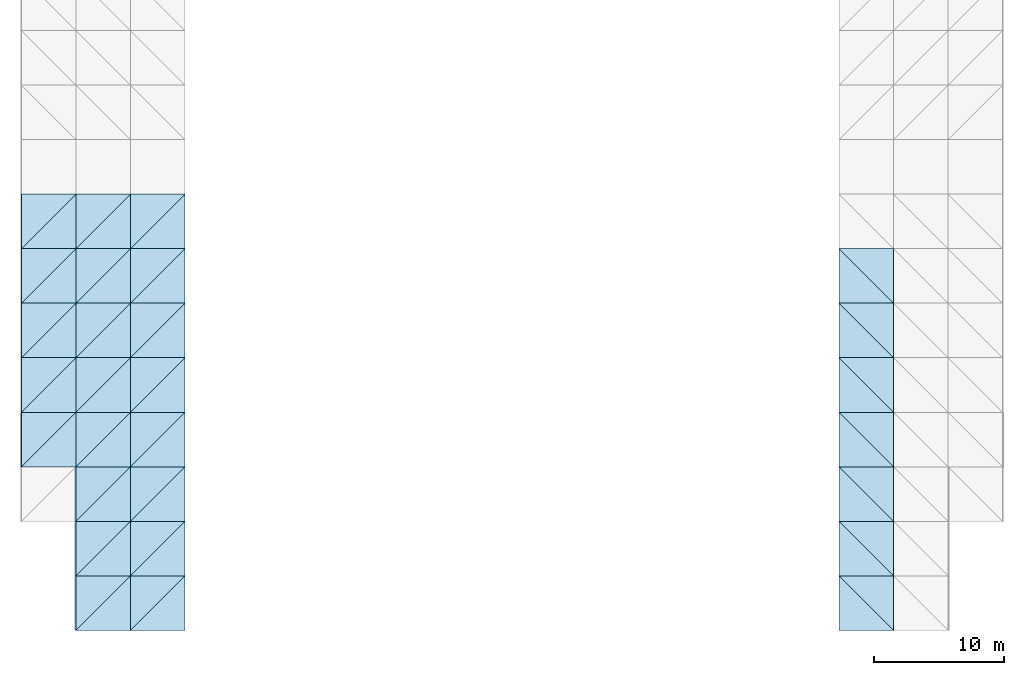
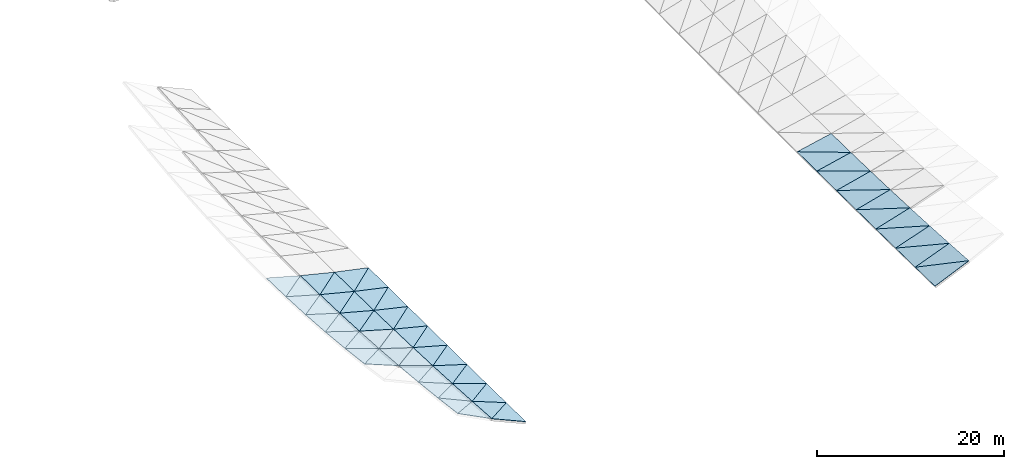
# One storey, part 17 of 24: 56 roofs.
"""IFC4 building model written with IfcOpenShell, lengths in metres."""

from ifc_helpers import new_model, si_unit, direction, frame, origin, place, context, subcontext, project, spatial, polyline, outline, extrude, material, layer, layer_set, type_object, element, save


model = new_model("IFC4")

# Units and contexts
model_context = context("Model", 3, precision=1e-05, world=origin(), true_north=direction((0.0, 1.0)))
body_context = subcontext(model_context, "Body", "Model", "MODEL_VIEW")
ifc_project = project(units=[si_unit("LENGTHUNIT", "METRE"), si_unit("AREAUNIT", "SQUARE_METRE"), si_unit("VOLUMEUNIT", "CUBIC_METRE"), si_unit("PLANEANGLEUNIT", "RADIAN"), si_unit("MASSUNIT", "GRAM", prefix="KILO")], contexts=[model_context])

# Site, building, storey
site_placement = place(None, origin())
site = spatial("IfcSite", under=ifc_project, at=site_placement, CompositionType="ELEMENT")
building_placement = place(site_placement, origin())
building = spatial("IfcBuilding", under=site, at=building_placement, Name="Cumbredor Promenade Congress Hotel", CompositionType="ELEMENT")
storey_placement = place(building_placement, frame((0.0, 0.0, 35.280029296875)))
storey = spatial("IfcBuildingStorey", under=building, at=storey_placement, Name="L10", CompositionType="ELEMENT", Elevation=35.280029296875)

# Roofs
ifc_material = material(Name="Standing-seam zinc-aluminium roofing", Category="aluminium")
ifc_layer = layer(ifc_material, 0.050048828125, Name="Standing-seam zinc-aluminium roofing", Category="aluminium")
ifc_layer_set = layer_set([ifc_layer], Name="Standing-seam zinc-aluminium roofing")
roof_type = type_object("IfcRoofType", Name="Sweeping Pavilion Standing-Seam Roof Skin 50mm", PredefinedType="FREEFORM", material=ifc_layer_set)
roof_1_placement = place(storey_placement, frame((-4.199951171875, 12.60009765625, 4.819091796875), z_axis=(0.372363221711, 0.073730499273, 0.925153741058), x_axis=(0.927678694472, 0.0, -0.373379485004)))
element("IfcRoof", 1, at=roof_1_placement, inside=storey, type_object=roof_type, Name="Plenary Congress Hall Standing-Seam Roof Skin 1.4.1", PredefinedType="FREEFORM", context=body_context, shape_type="SweptSolid", body=[
    extrude(outline(polyline([(0.0, 0.0), (4.527376986127346, -1.3877787807814457e-17), (4.652353371366782, 4.211413786767684), (0.0, 0.0)])), origin(), (0.0, 0.0, -1.0), 0.050048828125),
])
roof_2_placement = place(storey_placement, frame((-4.199951171875, 12.60009765625, 4.819091796875), z_axis=(0.336700195513, 0.113990158171, 0.934686697339), x_axis=(0.66927436547, 0.66927436547, -0.322712948996)))
element("IfcRoof", 2, at=roof_2_placement, inside=storey, type_object=roof_type, Name="Plenary Congress Hall Standing-Seam Roof Skin 1.4.2", PredefinedType="FREEFORM", context=body_context, shape_type="SweptSolid", body=[
    extrude(outline(polyline([(0.0, 0.0), (6.275380305244042, 4.440892098500626e-16), (2.976215497112563, 3.007338890737648), (0.0, 0.0)])), origin(), (0.0, 0.0, -1.0), 0.050048828125),
])
roof_3_placement = place(storey_placement, frame((-4.199951171875, 16.800048828125, 4.306884765625), z_axis=(0.33829986534, 0.059940818484, 0.939127413821), x_axis=(0.940819069904, 0.0, -0.338909247003)))
element("IfcRoof", 3, at=roof_3_placement, inside=storey, type_object=roof_type, Name="Plenary Congress Hall Standing-Seam Roof Skin 1.5.1", PredefinedType="FREEFORM", context=body_context, shape_type="SweptSolid", body=[
    extrude(outline(polyline([(0.0, 0.0), (4.464143325987234, 0.0), (4.554993509876294, 4.207516570184995), (0.0, 0.0)])), origin(), (0.0, 0.0, -1.0), 0.050048828125),
])
roof_4_placement = place(storey_placement, frame((-4.199951171875, 16.800048828125, 4.306884765625), z_axis=(0.309060738266, 0.092327562544, 0.946550094426), x_axis=(0.677313153047, 0.677313153047, -0.287217313927)))
element("IfcRoof", 4, at=roof_4_placement, inside=storey, type_object=roof_type, Name="Plenary Congress Hall Standing-Seam Roof Skin 1.5.2", PredefinedType="FREEFORM", context=body_context, shape_type="SweptSolid", body=[
    extrude(outline(polyline([(0.0, 0.0), (6.2009000607489595, 5.551115123125783e-17), (2.9623459044520564, 3.0053160288279273), (0.0, 0.0)])), origin(), (0.0, 0.0, -1.0), 0.050048828125),
])
roof_5_placement = place(storey_placement, frame((-4.199951171875, 21.0, 3.897216796875), z_axis=(0.310066019111, 0.045430716348, 0.949628934798), x_axis=(0.950610447719, 0.0, -0.31038649566)))
element("IfcRoof", 5, at=roof_5_placement, inside=storey, type_object=roof_type, Name="Plenary Congress Hall Standing-Seam Roof Skin 1.6.1", PredefinedType="FREEFORM", context=body_context, shape_type="SweptSolid", body=[
    extrude(outline(polyline([(0.0, 0.0), (4.418162226129549, 0.0), (4.480527481483075, 4.204292137268764), (0.0, 0.0)])), origin(), (0.0, 0.0, -1.0), 0.050048828125),
])
roof_6_placement = place(storey_placement, frame((-4.199951171875, 21.0, 3.897216796875), z_axis=(0.287720702689, 0.069848059433, 0.955163884283), x_axis=(0.683563503785, 0.683563503785, -0.255894260558)))
element("IfcRoof", 6, at=roof_6_placement, inside=storey, type_object=roof_type, Name="Plenary Congress Hall Standing-Seam Roof Skin 1.6.2", PredefinedType="FREEFORM", context=body_context, shape_type="SweptSolid", body=[
    extrude(outline(polyline([(0.0, 0.0), (6.1442004270551775, -1.1102230246251565e-16), (2.949525863133463, 3.0056971227812217), (0.0, 0.0)])), origin(), (0.0, 0.0, -1.0), 0.050048828125),
])
roof_7_placement = place(storey_placement, frame((-4.199951171875, 25.199951171875, 3.590087890625), z_axis=(0.28829058045, 0.030542556671, 0.957055742084), x_axis=(0.957502448296, 0.0, -0.288425140212)))
element("IfcRoof", 7, at=roof_7_placement, inside=storey, type_object=roof_type, Name="Plenary Congress Hall Standing-Seam Roof Skin 1.7.1", PredefinedType="FREEFORM", context=body_context, shape_type="SweptSolid", body=[
    extrude(outline(polyline([(0.0, 0.0), (4.386360765288658, 0.0), (4.425019310693086, 4.201911501036326), (0.0, 0.0)])), origin(), (0.0, 0.0, -1.0), 0.050048828125),
])
roof_8_placement = place(storey_placement, frame((-4.199951171875, 25.199951171875, 3.590087890625), z_axis=(0.273224130767, 0.046859167153, 0.960808405885), x_axis=(0.688268252981, 0.688268252981, -0.229289388934)))
element("IfcRoof", 8, at=roof_8_placement, inside=storey, type_object=roof_type, Name="Plenary Congress Hall Standing-Seam Roof Skin 1.7.2", PredefinedType="FREEFORM", context=body_context, shape_type="SweptSolid", body=[
    extrude(outline(polyline([(0.0, 0.0), (6.102200927743044, -1.942890293094024e-16), (2.9376593147809817, 3.008605085013594), (0.0, 0.0)])), origin(), (0.0, 0.0, -1.0), 0.050048828125),
])
roof_9_placement = place(storey_placement, frame((-4.199951171875, 29.39990234375, 3.38525390625), z_axis=(0.27349250661, 0.015317373472, 0.961752165008), x_axis=(0.96186500894, 0.0, -0.273524595927)))
element("IfcRoof", 9, at=roof_9_placement, inside=storey, type_object=roof_type, Name="Plenary Congress Hall Standing-Seam Roof Skin 1.8.1", PredefinedType="FREEFORM", context=body_context, shape_type="SweptSolid", body=[
    extrude(outline(polyline([(0.0, 0.0), (4.366466326188511, 0.0), (4.3847636258184, 4.200688128186187), (0.0, 0.0)])), origin(), (0.0, 0.0, -1.0), 0.050048828125),
])
roof_10_placement = place(storey_placement, frame((-4.199951171875, 29.39990234375, 3.38525390625), z_axis=(0.2658733392, 0.023527246464, 0.963720828963), x_axis=(0.691665779918, 0.691705986032, -0.207704785157)))
element("IfcRoof", 10, at=roof_10_placement, inside=storey, type_object=roof_type, Name="Plenary Congress Hall Standing-Seam Roof Skin 1.8.2", PredefinedType="FREEFORM", context=body_context, shape_type="SweptSolid", body=[
    extrude(outline(polyline([(0.0, 0.0), (6.072226346619871, -1.1102230246251565e-16), (2.926598094107825, 3.0144947367759327), (0.0, 0.0)])), origin(), (0.0, 0.0, -1.0), 0.050048828125),
])
roof_11_placement = place(storey_placement, frame((0.0, 0.0, 4.535400390625), z_axis=(0.45453933553, 0.060439938921, 0.888673734415), x_axis=(0.890301351474, 0.0, -0.455371830007)))
element("IfcRoof", 11, at=roof_11_placement, inside=storey, type_object=roof_type, Name="Plenary Congress Hall Standing-Seam Roof Skin 2.1.1", PredefinedType="FREEFORM", context=body_context, shape_type="SweptSolid", body=[
    extrude(outline(polyline([(0.0, 0.0), (4.717448945711764, 0.0), (4.8475234186386675, 4.207643434971648), (0.0, 0.0)])), origin(), (0.0, 0.0, -1.0), 0.050048828125),
])
roof_12_placement = place(storey_placement, frame((0.0, 0.0, 4.535400390625), z_axis=(0.409046691077, 0.115494917277, 0.905174971263), x_axis=(0.654306384269, 0.654306384269, -0.379165281915)))
element("IfcRoof", 12, at=roof_12_placement, inside=storey, type_object=roof_type, Name="Plenary Congress Hall Standing-Seam Roof Skin 2.1.2", PredefinedType="FREEFORM", context=body_context, shape_type="SweptSolid", body=[
    extrude(outline(polyline([(0.0, 0.0), (6.418936560685915, -1.6653345369377348e-16), (2.951245244722588, 3.0359377497373776), (0.0, 0.0)])), origin(), (0.0, 0.0, -1.0), 0.050048828125),
])
roof_13_placement = place(storey_placement, frame((0.0, 4.199951171875, 3.99951171875), z_axis=(0.411197951808, 0.054163455448, 0.909935472725), x_axis=(0.911273146381, 0.0, -0.411802443758)))
element("IfcRoof", 13, at=roof_13_placement, inside=storey, type_object=roof_type, Name="Plenary Congress Hall Standing-Seam Roof Skin 2.2.1", PredefinedType="FREEFORM", context=body_context, shape_type="SweptSolid", body=[
    extrude(outline(polyline([(0.0, 0.0), (4.608882845450503, 0.0), (4.711833456389957, 4.2061254163233635), (0.0, 0.0)])), origin(), (0.0, 0.0, -1.0), 0.050048828125),
])
roof_14_placement = place(storey_placement, frame((0.0, 4.199951171875, 3.99951171875), z_axis=(0.369264178227, 0.103080433585, 0.923589947374), x_axis=(0.664961689209, 0.664961689209, -0.340076320506)))
element("IfcRoof", 14, at=roof_14_placement, inside=storey, type_object=roof_type, Name="Plenary Congress Hall Standing-Seam Roof Skin 2.2.2", PredefinedType="FREEFORM", context=body_context, shape_type="SweptSolid", body=[
    extrude(outline(polyline([(0.0, 0.0), (6.316079918636014, 5.551115123125783e-17), (2.952217401082226, 3.0238599215872246), (0.0, 0.0)])), origin(), (0.0, 0.0, -1.0), 0.050048828125),
])
roof_15_placement = place(storey_placement, frame((0.0, 8.39990234375, 3.53076171875), z_axis=(0.370825649109, 0.047334398802, 0.927495440772), x_axis=(0.928536237843, 0.0, -0.371241774335)))
element("IfcRoof", 15, at=roof_15_placement, inside=storey, type_object=roof_type, Name="Plenary Congress Hall Standing-Seam Roof Skin 2.3.1", PredefinedType="FREEFORM", context=body_context, shape_type="SweptSolid", body=[
    extrude(outline(polyline([(0.0, 0.0), (4.523195757689998, 0.0), (4.602773462247189, 4.204908598182298), (0.0, 0.0)])), origin(), (0.0, 0.0, -1.0), 0.050048828125),
])
roof_16_placement = place(storey_placement, frame((0.0, 8.39990234375, 3.53076171875), z_axis=(0.333285481818, 0.089849284982, 0.938534971963), x_axis=(0.673682027033, 0.673721187763, -0.30373061685)))
element("IfcRoof", 16, at=roof_16_placement, inside=storey, type_object=roof_type, Name="Plenary Congress Hall Standing-Seam Roof Skin 2.3.2", PredefinedType="FREEFORM", context=body_context, shape_type="SweptSolid", body=[
    extrude(outline(polyline([(0.0, 0.0), (6.234322726955541, 4.996003610813204e-16), (2.951890537163101, 3.014907463855805), (0.0, 0.0)])), origin(), (0.0, 0.0, -1.0), 0.050048828125),
])
roof_17_placement = place(storey_placement, frame((0.0, 12.60009765625, 3.128662109375), z_axis=(0.334371010112, 0.040010674152, 0.94159182959), x_axis=(0.942346411237, 0.0, -0.334638971473)))
element("IfcRoof", 17, at=roof_17_placement, inside=storey, type_object=roof_type, Name="Plenary Congress Hall Standing-Seam Roof Skin 2.4.1", PredefinedType="FREEFORM", context=body_context, shape_type="SweptSolid", body=[
    extrude(outline(polyline([(0.0, 0.0), (4.456907907529506, -6.938893903907228e-18), (4.516629852877815, 4.2033169679391085), (0.0, 0.0)])), origin(), (0.0, 0.0, -1.0), 0.050048828125),
])
roof_18_placement = place(storey_placement, frame((0.0, 12.60009765625, 3.128662109375), z_axis=(0.302098077759, 0.075731662938, 0.95026389316), x_axis=(0.680714881199, 0.680714881199, -0.270655687229)))
element("IfcRoof", 18, at=roof_18_placement, inside=storey, type_object=roof_type, Name="Plenary Congress Hall Standing-Seam Roof Skin 2.4.2", PredefinedType="FREEFORM", context=body_context, shape_type="SweptSolid", body=[
    extrude(outline(polyline([(0.0, 0.0), (6.169912378702951, 5.551115123125783e-17), (2.9495622676883806, 3.0086055921761212), (0.0, 0.0)])), origin(), (0.0, 0.0, -1.0), 0.050048828125),
])
roof_19_placement = place(storey_placement, frame((0.0, 16.800048828125, 2.7939453125), z_axis=(0.302809161441, 0.032390447878, 0.952500640752), x_axis=(0.953000688043, 0.0, -0.302968131309)))
element("IfcRoof", 19, at=roof_19_placement, inside=storey, type_object=roof_type, Name="Plenary Congress Hall Standing-Seam Roof Skin 2.5.1", PredefinedType="FREEFORM", context=body_context, shape_type="SweptSolid", body=[
    extrude(outline(polyline([(0.0, 0.0), (4.407080943979243, 6.938893903907228e-18), (4.45035153890497, 4.202156077694785), (0.0, 0.0)])), origin(), (0.0, 0.0, -1.0), 0.050048828125),
])
roof_20_placement = place(storey_placement, frame((0.0, 16.800048828125, 2.7939453125), z_axis=(0.276311214531, 0.061216649224, 0.959116590714), x_axis=(0.68618093884, 0.68618093884, -0.241477614587)))
element("IfcRoof", 20, at=roof_20_placement, inside=storey, type_object=roof_type, Name="Plenary Congress Hall Standing-Seam Roof Skin 2.5.2", PredefinedType="FREEFORM", context=body_context, shape_type="SweptSolid", body=[
    extrude(outline(polyline([(0.0, 0.0), (6.120763393657777, 2.220446049250313e-16), (2.94665847452964, 3.004771751527333), (0.0, 0.0)])), origin(), (0.0, 0.0, -1.0), 0.050048828125),
])
roof_21_placement = place(storey_placement, frame((0.0, 21.0, 2.52587890625), z_axis=(0.27674721727, 0.024514130021, 0.960630019915), x_axis=(0.96091879181, 0.0, -0.276830409359)))
element("IfcRoof", 21, at=roof_21_placement, inside=storey, type_object=roof_type, Name="Plenary Congress Hall Standing-Seam Roof Skin 2.6.1", PredefinedType="FREEFORM", context=body_context, shape_type="SweptSolid", body=[
    extrude(outline(polyline([(0.0, 0.0), (4.37076598737682, -3.469446951953614e-18), (4.400436043458072, 4.201213705663172), (0.0, 0.0)])), origin(), (0.0, 0.0, -1.0), 0.050048828125),
])
roof_22_placement = place(storey_placement, frame((0.0, 21.0, 2.52587890625), z_axis=(0.256577242509, 0.046186148422, 0.965419576309), x_axis=(0.690336810607, 0.690336810607, -0.216495209744)))
element("IfcRoof", 22, at=roof_22_placement, inside=storey, type_object=roof_type, Name="Plenary Congress Hall Standing-Seam Roof Skin 2.6.2", PredefinedType="FREEFORM", context=body_context, shape_type="SweptSolid", body=[
    extrude(outline(polyline([(0.0, 0.0), (6.0839160064235775, 0.0), (2.9428807886939765, 3.0032340008915677), (0.0, 0.0)])), origin(), (0.0, 0.0, -1.0), 0.050048828125),
])
roof_23_placement = place(storey_placement, frame((0.0, 25.199951171875, 2.324951171875), z_axis=(0.256816551653, 0.016458278573, 0.966320021454), x_axis=(0.966450923984, 0.0, -0.256851341304)))
element("IfcRoof", 23, at=roof_23_placement, inside=storey, type_object=roof_type, Name="Plenary Congress Hall Standing-Seam Roof Skin 2.7.1", PredefinedType="FREEFORM", context=body_context, shape_type="SweptSolid", body=[
    extrude(outline(polyline([(0.0, 0.0), (4.345746967223105, -6.938893903907228e-18), (4.364120366393548, 4.200520118209939), (0.0, 0.0)])), origin(), (0.0, 0.0, -1.0), 0.050048828125),
])
roof_24_placement = place(storey_placement, frame((0.0, 25.199951171875, 2.324951171875), z_axis=(0.243228293779, 0.030938909473, 0.969475518508), x_axis=(0.693379318259, 0.693379318259, -0.196087332636)))
element("IfcRoof", 24, at=roof_24_placement, inside=storey, type_object=roof_type, Name="Plenary Congress Hall Standing-Seam Roof Skin 2.7.2", PredefinedType="FREEFORM", context=body_context, shape_type="SweptSolid", body=[
    extrude(outline(polyline([(0.0, 0.0), (6.057220140943978, 1.6653345369377348e-16), (2.938441493562966, 3.003850251690583), (0.0, 0.0)])), origin(), (0.0, 0.0, -1.0), 0.050048828125),
])
roof_25_placement = place(storey_placement, frame((0.0, 29.39990234375, 2.19091796875), z_axis=(0.243336545039, 0.008231017267, 0.969906993584), x_axis=(0.969939850681, 0.0, -0.24334478844)))
element("IfcRoof", 25, at=roof_25_placement, inside=storey, type_object=roof_type, Name="Plenary Congress Hall Standing-Seam Roof Skin 2.8.1", PredefinedType="FREEFORM", context=body_context, shape_type="SweptSolid", body=[
    extrude(outline(polyline([(0.0, 0.0), (4.330115077678804, -1.734723475976807e-18), (4.33878898859489, 4.2003376006012205), (0.0, 0.0)])), origin(), (0.0, 0.0, -1.0), 0.050048828125),
])
roof_26_placement = place(storey_placement, frame((0.0, 29.39990234375, 2.19091796875), z_axis=(0.236509174984, 0.015472719001, 0.971506049963), x_axis=(0.695486508772, 0.695526936982, -0.180390676169)))
element("IfcRoof", 26, at=roof_26_placement, inside=storey, type_object=roof_type, Name="Plenary Congress Hall Standing-Seam Roof Skin 2.8.2", PredefinedType="FREEFORM", context=body_context, shape_type="SweptSolid", body=[
    extrude(outline(polyline([(0.0, 0.0), (6.038867927565289, 3.608224830031759e-16), (2.933416130154654, 3.0068563897876177), (0.0, 0.0)])), origin(), (0.0, 0.0, -1.0), 0.050048828125),
])
roof_27_placement = place(storey_placement, frame((4.199951171875, 0.0, 2.38720703125), z_axis=(0.405170702715, 0.014984673858, 0.914118242467), x_axis=(0.914220888014, 0.0, -0.405216198983)))
element("IfcRoof", 27, at=roof_27_placement, inside=storey, type_object=roof_type, Name="Plenary Congress Hall Standing-Seam Roof Skin 3.1.1", PredefinedType="FREEFORM", context=body_context, shape_type="SweptSolid", body=[
    extrude(outline(polyline([(0.0, 0.0), (4.59402232757726, 0.0), (4.62192051315179, 4.200422780762307), (0.0, 0.0)])), origin(), (0.0, 0.0, -1.0), 0.050048828125),
])
roof_28_placement = place(storey_placement, frame((4.199951171875, 0.0, 2.38720703125), z_axis=(0.363923375977, 0.063201773771, 0.929282148871), x_axis=(0.672481279544, 0.672481279544, -0.309091988453)))
element("IfcRoof", 28, at=roof_28_placement, inside=storey, type_object=roof_type, Name="Plenary Congress Hall Standing-Seam Roof Skin 3.1.2", PredefinedType="FREEFORM", context=body_context, shape_type="SweptSolid", body=[
    extrude(outline(polyline([(0.0, 0.0), (6.24545440837096, 2.7755575615628914e-16), (2.912678974239555, 3.0393229241707824), (0.0, 0.0)])), origin(), (0.0, 0.0, -1.0), 0.050048828125),
])
roof_29_placement = place(storey_placement, frame((4.199951171875, 4.199951171875, 2.1015625), z_axis=(0.364619815794, 0.013368130399, 0.93106051523), x_axis=(0.931143719856, 0.0, -0.364652400202)))
element("IfcRoof", 29, at=roof_29_placement, inside=storey, type_object=roof_type, Name="Plenary Congress Hall Standing-Seam Roof Skin 3.2.1", PredefinedType="FREEFORM", context=body_context, shape_type="SweptSolid", body=[
    extrude(outline(polyline([(0.0, 0.0), (4.510529451377057, 0.0), (4.5325189882056245, 4.2003265023301894), (0.0, 0.0)])), origin(), (0.0, 0.0, -1.0), 0.050048828125),
])
roof_30_placement = place(storey_placement, frame((4.199951171875, 4.199951171875, 2.1015625), z_axis=(0.326844885667, 0.056155899819, 0.943408149015), x_axis=(0.679656505654, 0.679656505654, -0.275924026942)))
element("IfcRoof", 30, at=roof_30_placement, inside=storey, type_object=roof_type, Name="Plenary Congress Hall Standing-Seam Roof Skin 3.2.2", PredefinedType="FREEFORM", context=body_context, shape_type="SweptSolid", body=[
    extrude(outline(polyline([(0.0, 0.0), (6.179520297290226, 0.0), (2.923505144130075, 3.025757346248898), (0.0, 0.0)])), origin(), (0.0, 0.0, -1.0), 0.050048828125),
])
roof_31_placement = place(storey_placement, frame((4.199951171875, 8.39990234375, 1.8515625), z_axis=(0.327339269004, 0.011642934785, 0.944835141724), x_axis=(0.944899188184, 0.0, -0.327361457977)))
element("IfcRoof", 31, at=roof_31_placement, inside=storey, type_object=roof_type, Name="Plenary Congress Hall Standing-Seam Roof Skin 3.3.1", PredefinedType="FREEFORM", context=body_context, shape_type="SweptSolid", body=[
    extrude(outline(polyline([(0.0, 0.0), (4.444866949188435, 0.0), (4.461810462150134, 4.200480026338688), (0.0, 0.0)])), origin(), (0.0, 0.0, -1.0), 0.050048828125),
])
roof_32_placement = place(storey_placement, frame((4.199951171875, 8.39990234375, 1.8515625), z_axis=(0.293775618975, 0.048719305011, 0.954632031211), x_axis=(0.685376087826, 0.685415928324, -0.245895553919)))
element("IfcRoof", 32, at=roof_32_placement, inside=storey, type_object=roof_type, Name="Plenary Congress Hall Standing-Seam Roof Skin 3.3.2", PredefinedType="FREEFORM", context=body_context, shape_type="SweptSolid", body=[
    extrude(outline(polyline([(0.0, 0.0), (6.1279511300125975, 7.771561172376096e-16), (2.931589825981886, 3.0155215174708183), (0.0, 0.0)])), origin(), (0.0, 0.0, -1.0), 0.050048828125),
])
roof_33_placement = place(storey_placement, frame((4.199951171875, 12.60009765625, 1.63720703125), z_axis=(0.294110669038, 0.009833318553, 0.955720785692), x_axis=(0.95576699535, 0.0, -0.29412488946)))
element("IfcRoof", 33, at=roof_33_placement, inside=storey, type_object=roof_type, Name="Plenary Congress Hall Standing-Seam Roof Skin 3.4.1", PredefinedType="FREEFORM", context=body_context, shape_type="SweptSolid", body=[
    extrude(outline(polyline([(0.0, 0.0), (4.3943253871594905, 0.0), (4.40703537383782, 4.200154241964095), (0.0, 0.0)])), origin(), (0.0, 0.0, -1.0), 0.050048828125),
])
roof_34_placement = place(storey_placement, frame((4.199951171875, 12.60009765625, 1.63720703125), z_axis=(0.265411860785, 0.040931660387, 0.963265873647), x_axis=(0.689878251711, 0.689878251711, -0.219399169628)))
element("IfcRoof", 34, at=roof_34_placement, inside=storey, type_object=roof_type, Name="Plenary Congress Hall Standing-Seam Roof Skin 3.4.2", PredefinedType="FREEFORM", context=body_context, shape_type="SweptSolid", body=[
    extrude(outline(polyline([(0.0, 0.0), (6.0879599573705185, 1.3877787807814457e-16), (2.936610438763598, 3.0079493637137045), (0.0, 0.0)])), origin(), (0.0, 0.0, -1.0), 0.050048828125),
])
roof_35_placement = place(storey_placement, frame((4.199951171875, 16.800048828125, 1.458740234375), z_axis=(0.265626183695, 0.007901538376, 0.964043721118), x_axis=(0.964073817229, 0.0, -0.265634476177)))
element("IfcRoof", 35, at=roof_35_placement, inside=storey, type_object=roof_type, Name="Plenary Congress Hall Standing-Seam Roof Skin 3.5.1", PredefinedType="FREEFORM", context=body_context, shape_type="SweptSolid", body=[
    extrude(outline(polyline([(0.0, 0.0), (4.356462230192035, 0.0), (4.365606385744011, 4.200082288538668), (0.0, 0.0)])), origin(), (0.0, 0.0, -1.0), 0.050048828125),
])
roof_36_placement = place(storey_placement, frame((4.199951171875, 16.800048828125, 1.458740234375), z_axis=(0.242151731067, 0.032974572317, 0.969677893283), x_axis=(0.693291509435, 0.693291509435, -0.196707310211)))
element("IfcRoof", 36, at=roof_36_placement, inside=storey, type_object=roof_type, Name="Plenary Congress Hall Standing-Seam Roof Skin 3.5.2", PredefinedType="FREEFORM", context=body_context, shape_type="SweptSolid", body=[
    extrude(outline(polyline([(0.0, 0.0), (6.057987318057466, -1.1102230246251565e-16), (2.9398846712123845, 3.0028430138225506), (0.0, 0.0)])), origin(), (0.0, 0.0, -1.0), 0.050048828125),
])
roof_37_placement = place(storey_placement, frame((4.199951171875, 21.0, 1.31591796875), z_axis=(0.242279239069, 0.005921629447, 0.970188489223), x_axis=(0.970205499837, 0.0, -0.242283487026)))
element("IfcRoof", 37, at=roof_37_placement, inside=storey, type_object=roof_type, Name="Plenary Congress Hall Standing-Seam Roof Skin 3.6.1", PredefinedType="FREEFORM", context=body_context, shape_type="SweptSolid", body=[
    extrude(outline(polyline([(0.0, 0.0), (4.328929461417131, 0.0), (4.335140341821839, 4.200024810915697), (0.0, 0.0)])), origin(), (0.0, 0.0, -1.0), 0.050048828125),
])
roof_38_placement = place(storey_placement, frame((4.199951171875, 21.0, 1.31591796875), z_axis=(0.224364000125, 0.024860120155, 0.974188262028), x_axis=(0.695813577961, 0.695813577961, -0.1780082286)))
element("IfcRoof", 38, at=roof_38_placement, inside=storey, type_object=roof_type, Name="Plenary Congress Hall Standing-Seam Roof Skin 3.6.2", PredefinedType="FREEFORM", context=body_context, shape_type="SweptSolid", body=[
    extrude(outline(polyline([(0.0, 0.0), (6.036029340187024, 1.3877787807814457e-16), (2.9414615708066227, 2.9998134509245373), (0.0, 0.0)])), origin(), (0.0, 0.0, -1.0), 0.050048828125),
])
roof_39_placement = place(storey_placement, frame((4.199951171875, 25.199951171875, 1.208740234375), z_axis=(0.224431548464, 0.004021867729, 0.974481556847), x_axis=(0.974489438266, 0.0, -0.224433363623)))
element("IfcRoof", 39, at=roof_39_placement, inside=storey, type_object=roof_type, Name="Plenary Congress Hall Standing-Seam Roof Skin 3.7.1", PredefinedType="FREEFORM", context=body_context, shape_type="SweptSolid", body=[
    extrude(outline(polyline([(0.0, 0.0), (4.3098991194267855, 4.336808689942018e-19), (4.31378944384506, 4.199985140274239), (0.0, 0.0)])), origin(), (0.0, 0.0, -1.0), 0.050048828125),
])
roof_40_placement = place(storey_placement, frame((4.199951171875, 25.199951171875, 1.208740234375), z_axis=(0.212412019054, 0.016640834648, 0.97703849299), x_axis=(0.697586866805, 0.697586866805, -0.163539373006)))
element("IfcRoof", 40, at=roof_40_placement, inside=storey, type_object=roof_type, Name="Plenary Congress Hall Standing-Seam Roof Skin 3.7.2", PredefinedType="FREEFORM", context=body_context, shape_type="SweptSolid", body=[
    extrude(outline(polyline([(0.0, 0.0), (6.020685554349562, 2.7755575615628914e-17), (2.9415292739091674, 2.998685107846257), (0.0, 0.0)])), origin(), (0.0, 0.0, -1.0), 0.050048828125),
])
roof_41_placement = place(storey_placement, frame((4.199951171875, 29.39990234375, 1.13720703125), z_axis=(0.212441015666, 0.001987968812, 0.977171869654), x_axis=(0.977173800561, 0.0, -0.212441435453)))
element("IfcRoof", 41, at=roof_41_placement, inside=storey, type_object=roof_type, Name="Plenary Congress Hall Standing-Seam Roof Skin 3.8.1", PredefinedType="FREEFORM", context=body_context, shape_type="SweptSolid", body=[
    extrude(outline(polyline([(0.0, 0.0), (4.298059536045824, 2.168404344971009e-19), (4.299874831514783, 4.200203612152533), (0.0, 0.0)])), origin(), (0.0, 0.0, -1.0), 0.050048828125),
])
roof_42_placement = place(storey_placement, frame((4.199951171875, 29.39990234375, 1.13720703125), z_axis=(0.206401793458, 0.008303364629, 0.978432089515), x_axis=(0.69872527049, 0.698765886968, -0.153327204331)))
element("IfcRoof", 42, at=roof_42_placement, inside=storey, type_object=roof_type, Name="Plenary Congress Hall Standing-Seam Roof Skin 3.8.2", PredefinedType="FREEFORM", context=body_context, shape_type="SweptSolid", body=[
    extrude(outline(polyline([(0.0, 0.0), (6.01087630468582, 2.7755575615628914e-16), (2.9404184793050323, 2.9994750144511104), (0.0, 0.0)])), origin(), (0.0, 0.0, -1.0), 0.050048828125),
])
roof_43_placement = place(storey_placement, frame((58.800048828125, 0.0, 0.525634765625), z_axis=(-0.405170702715, 0.014984673858, 0.914118242467), x_axis=(0.914220888014, 0.0, 0.405216198983)))
element("IfcRoof", 43, at=roof_43_placement, inside=storey, type_object=roof_type, Name="Plenary Congress Hall Standing-Seam Roof Skin 16.1.1", PredefinedType="FREEFORM", context=body_context, shape_type="SweptSolid", body=[
    extrude(outline(polyline([(0.0, 0.0), (4.59402232757726, 0.0), (-0.027898185574529798, 4.200422780762307), (0.0, 0.0)])), origin(), (0.0, 0.0, -1.0), 0.050048828125),
])
roof_44_placement = place(storey_placement, frame((63.0, 0.0, 2.38720703125), z_axis=(-0.363923375977, 0.063201773771, 0.929282148871), x_axis=(0.0, 0.997695217775, -0.067854641911)))
element("IfcRoof", 44, at=roof_44_placement, inside=storey, type_object=roof_type, Name="Plenary Congress Hall Standing-Seam Roof Skin 16.1.2", PredefinedType="FREEFORM", context=body_context, shape_type="SweptSolid", body=[
    extrude(outline(polyline([(0.0, 0.0), (4.209653506450053, 0.0), (4.321259151605111, 4.509148490758464), (0.0, 0.0)])), origin(), (0.0, 0.0, -1.0), 0.050048828125),
])
roof_45_placement = place(storey_placement, frame((58.800048828125, 4.199951171875, 0.456787109375), z_axis=(-0.364619815794, 0.013368130399, 0.93106051523), x_axis=(0.931143719856, 0.0, 0.364652400202)))
element("IfcRoof", 45, at=roof_45_placement, inside=storey, type_object=roof_type, Name="Plenary Congress Hall Standing-Seam Roof Skin 16.2.1", PredefinedType="FREEFORM", context=body_context, shape_type="SweptSolid", body=[
    extrude(outline(polyline([(0.0, 0.0), (4.510529451377057, 0.0), (-0.021989536828567968, 4.2003265023301894), (0.0, 0.0)])), origin(), (0.0, 0.0, -1.0), 0.050048828125),
])
roof_46_placement = place(storey_placement, frame((63.0, 4.199951171875, 2.1015625), z_axis=(-0.326844885667, 0.056155899819, 0.943408149015), x_axis=(0.0, 0.998233110761, -0.059419328339)))
element("IfcRoof", 46, at=roof_46_placement, inside=storey, type_object=roof_type, Name="Plenary Congress Hall Standing-Seam Roof Skin 16.2.2", PredefinedType="FREEFORM", context=body_context, shape_type="SweptSolid", body=[
    extrude(outline(polyline([(0.0, 0.0), (4.207385155430173, 1.3877787807814457e-17), (4.293844920298742, 4.444025979339743), (0.0, 0.0)])), origin(), (0.0, 0.0, -1.0), 0.050048828125),
])
roof_47_placement = place(storey_placement, frame((58.800048828125, 8.39990234375, 0.396484375), z_axis=(-0.327339269004, 0.011642934785, 0.944835141724), x_axis=(0.944899188184, 0.0, 0.327361457977)))
element("IfcRoof", 47, at=roof_47_placement, inside=storey, type_object=roof_type, Name="Plenary Congress Hall Standing-Seam Roof Skin 16.3.1", PredefinedType="FREEFORM", context=body_context, shape_type="SweptSolid", body=[
    extrude(outline(polyline([(0.0, 0.0), (4.444866949188435, 0.0), (-0.016943512961698964, 4.200480026338689), (0.0, 0.0)])), origin(), (0.0, 0.0, -1.0), 0.050048828125),
])
roof_48_placement = place(storey_placement, frame((63.0, 8.39990234375, 1.8515625), z_axis=(-0.293775618975, 0.048719305011, 0.954632031211), x_axis=(0.0, 0.998700270943, -0.050968311898)))
element("IfcRoof", 48, at=roof_48_placement, inside=storey, type_object=roof_type, Name="Plenary Congress Hall Standing-Seam Roof Skin 16.3.2", PredefinedType="FREEFORM", context=body_context, shape_type="SweptSolid", body=[
    extrude(outline(polyline([(0.0, 0.0), (4.2056615329969205, 0.0), (4.271537080649873, 4.393831587630076), (0.0, 0.0)])), origin(), (0.0, 0.0, -1.0), 0.050048828125),
])
roof_49_placement = place(storey_placement, frame((58.800048828125, 12.60009765625, 0.3447265625), z_axis=(-0.294110669038, 0.009833318553, 0.955720785692), x_axis=(0.95576699535, 0.0, 0.29412488946)))
element("IfcRoof", 49, at=roof_49_placement, inside=storey, type_object=roof_type, Name="Plenary Congress Hall Standing-Seam Roof Skin 16.4.1", PredefinedType="FREEFORM", context=body_context, shape_type="SweptSolid", body=[
    extrude(outline(polyline([(0.0, 0.0), (4.3943253871594905, 0.0), (-0.012709986678329555, 4.200154241964095), (0.0, 0.0)])), origin(), (0.0, 0.0, -1.0), 0.050048828125),
])
roof_50_placement = place(storey_placement, frame((63.0, 12.60009765625, 1.63720703125), z_axis=(-0.265411860785, 0.040931660387, 0.963265873647), x_axis=(0.0, 0.999098410723, -0.04245427764)))
element("IfcRoof", 50, at=roof_50_placement, inside=storey, type_object=roof_type, Name="Plenary Congress Hall Standing-Seam Roof Skin 16.4.2", PredefinedType="FREEFORM", context=body_context, shape_type="SweptSolid", body=[
    extrude(outline(polyline([(0.0, 0.0), (4.203741219880335, -1.3877787807814457e-17), (4.252870437656952, 4.356185198433419), (0.0, 0.0)])), origin(), (0.0, 0.0, -1.0), 0.050048828125),
])
roof_51_placement = place(storey_placement, frame((58.800048828125, 16.800048828125, 0.301513671875), z_axis=(-0.265626183695, 0.007901538376, 0.964043721118), x_axis=(0.964073817229, 0.0, 0.265634476177)))
element("IfcRoof", 51, at=roof_51_placement, inside=storey, type_object=roof_type, Name="Plenary Congress Hall Standing-Seam Roof Skin 16.5.1", PredefinedType="FREEFORM", context=body_context, shape_type="SweptSolid", body=[
    extrude(outline(polyline([(0.0, 0.0), (4.356462230192035, 0.0), (-0.009144155551976077, 4.200082288538668), (0.0, 0.0)])), origin(), (0.0, 0.0, -1.0), 0.050048828125),
])
roof_52_placement = place(storey_placement, frame((63.0, 16.800048828125, 1.458740234375), z_axis=(-0.242151731067, 0.032974572317, 0.969677893283), x_axis=(0.0, 0.999422307276, -0.033986051837)))
element("IfcRoof", 52, at=roof_52_placement, inside=storey, type_object=roof_type, Name="Plenary Congress Hall Standing-Seam Roof Skin 16.5.2", PredefinedType="FREEFORM", context=body_context, shape_type="SweptSolid", body=[
    extrude(outline(polyline([(0.0, 0.0), (4.202378855564125, 0.0), (4.2380243825887485, 4.32878270167588), (0.0, 0.0)])), origin(), (0.0, 0.0, -1.0), 0.050048828125),
])
roof_53_placement = place(storey_placement, frame((58.800048828125, 21.0, 0.26708984375), z_axis=(-0.242279239069, 0.005921629447, 0.970188489223), x_axis=(0.970205499837, 0.0, 0.242283487026)))
element("IfcRoof", 53, at=roof_53_placement, inside=storey, type_object=roof_type, Name="Plenary Congress Hall Standing-Seam Roof Skin 16.6.1", PredefinedType="FREEFORM", context=body_context, shape_type="SweptSolid", body=[
    extrude(outline(polyline([(0.0, 0.0), (4.328929461417131, 0.0), (-0.0062108804047090165, 4.200024810915697), (0.0, 0.0)])), origin(), (0.0, 0.0, -1.0), 0.050048828125),
])
roof_54_placement = place(storey_placement, frame((63.0, 21.0, 1.31591796875), z_axis=(-0.224364000125, 0.024860120155, 0.974188262028), x_axis=(0.0, 0.999674554241, -0.025510499873)))
element("IfcRoof", 54, at=roof_54_placement, inside=storey, type_object=roof_type, Name="Plenary Congress Hall Standing-Seam Roof Skin 16.6.2", PredefinedType="FREEFORM", context=body_context, shape_type="SweptSolid", body=[
    extrude(outline(polyline([(0.0, 0.0), (4.201318473155771, 0.0), (4.225994401011241, 4.30982847897921), (0.0, 0.0)])), origin(), (0.0, 0.0, -1.0), 0.050048828125),
])
roof_55_placement = place(storey_placement, frame((58.800048828125, 25.199951171875, 0.241455078125), z_axis=(-0.224431548464, 0.004021867729, 0.974481556847), x_axis=(0.974489438266, 0.0, 0.224433363623)))
element("IfcRoof", 55, at=roof_55_placement, inside=storey, type_object=roof_type, Name="Plenary Congress Hall Standing-Seam Roof Skin 16.7.1", PredefinedType="FREEFORM", context=body_context, shape_type="SweptSolid", body=[
    extrude(outline(polyline([(0.0, 0.0), (4.3098991194267855, -4.336808689942018e-19), (-0.0038903244182747665, 4.199985140274239), (0.0, 0.0)])), origin(), (0.0, 0.0, -1.0), 0.050048828125),
])
roof_56_placement = place(storey_placement, frame((63.0, 25.199951171875, 1.208740234375), z_axis=(-0.212412019054, 0.016640834648, 0.97703849299), x_axis=(0.0, 0.999854988518, -0.017029443215)))
element("IfcRoof", 56, at=roof_56_placement, inside=storey, type_object=roof_type, Name="Plenary Congress Hall Standing-Seam Roof Skin 16.7.2", PredefinedType="FREEFORM", context=body_context, shape_type="SweptSolid", body=[
    extrude(outline(polyline([(0.0, 0.0), (4.200560301350703, 1.734723475976807e-18), (4.216109646474202, 4.298031409059345), (0.0, 0.0)])), origin(), (0.0, 0.0, -1.0), 0.050048828125),
])

save(model, "model.ifc")
